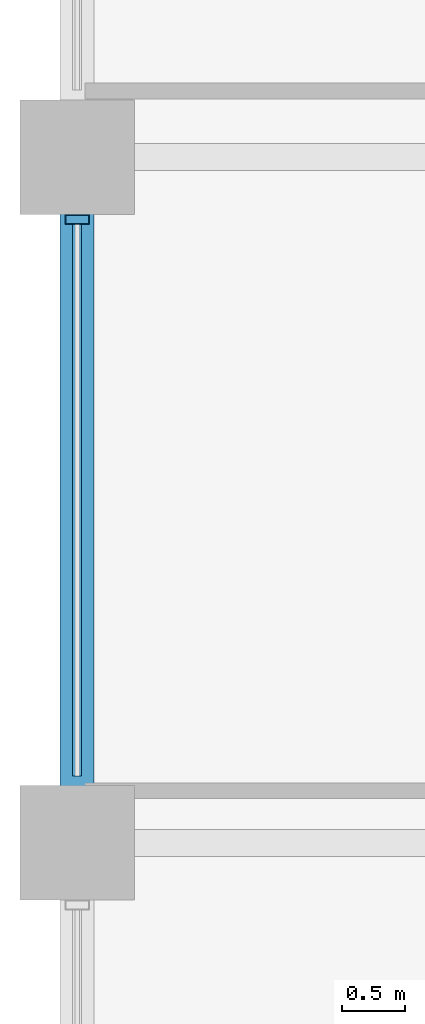
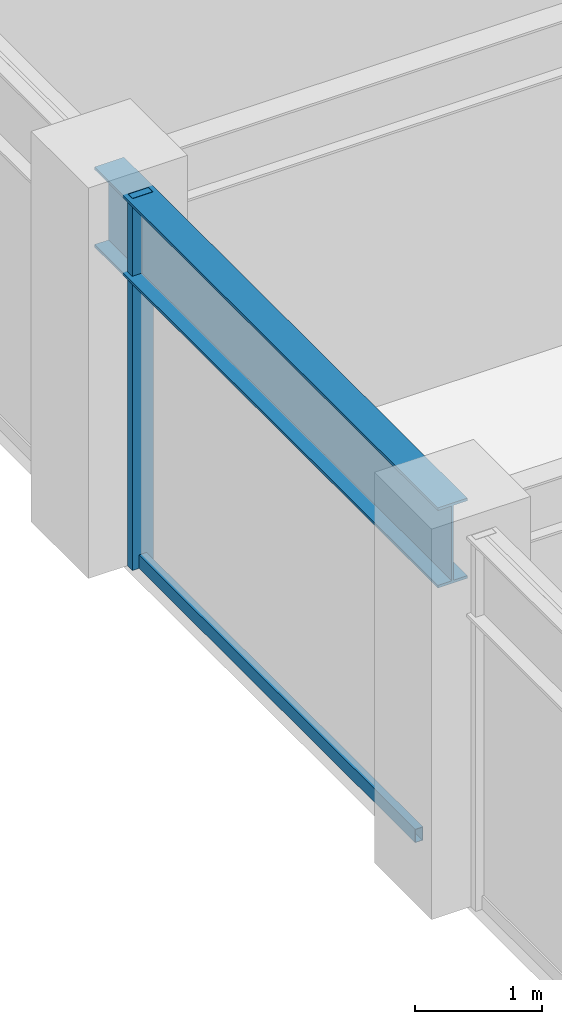
# One storey, part 8 of 32: 2 members, 1 beam, 1 element without a shape of its own.
"""IFC4 building model written with IfcOpenShell, lengths in metres."""

import ifcopenshell
import ifcopenshell.guid

model = None  # the IFC model being written
_history = None  # IfcOwnerHistory: only IFC2X3 demands one
_inside = {}  # id of a spatial element -> (the spatial element, [elements in it])
_under = {}  # id of a project, library or spatial element -> (it, [spatial elements below it])
_declared = {}  # id of a project -> (the project, [libraries it declares])
_typed = {}  # id of a type object -> (the type object, [elements of that type])
_made_of = {}  # id of a material, layer set ... -> (it, [elements and type objects made of it])


def new_model(schema):
    """Start an empty IFC model of exactly this schema.

    Asked for "IFC4X3", IfcOpenShell would pick the latest addendum, in which some entities
    have other attributes; the version numbers below select the first issue.
    IFC2X3 requires an IfcOwnerHistory on every rooted entity: one is made here for all.
    """
    global model, _history
    if schema == "IFC4X3":
        model = ifcopenshell.file(schema_version=(4, 3, 0, 0))
    else:
        model = ifcopenshell.file(schema=schema)
    _inside.clear()
    _under.clear()
    _declared.clear()
    _typed.clear()
    _made_of.clear()
    _history = None
    if model.schema == "IFC2X3":
        org = make("IfcOrganization", Name="unknown")
        user = make(
            "IfcPersonAndOrganization",
            ThePerson=make("IfcPerson", FamilyName="unknown"),
            TheOrganization=org,
        )
        app = make(
            "IfcApplication",
            ApplicationDeveloper=org,
            Version="unknown",
            ApplicationFullName="unknown",
            ApplicationIdentifier="unknown",
        )
        _history = make(
            "IfcOwnerHistory",
            OwningUser=user,
            OwningApplication=app,
            ChangeAction="ADDED",
            CreationDate=0,
        )
    return model


def make(cls, **values):
    """One entity of the class cls with the attributes given. An attribute that is None is left unset."""
    return model.create_entity(
        cls, **{name: value for name, value in values.items() if value is not None}
    )


def rooted(cls, **values):
    """An entity with a GlobalId (a new one), such as an element, a storey or a relation."""
    return make(cls, GlobalId=ifcopenshell.guid.new(), OwnerHistory=_history, **values)


def si_unit(unit_type, name, prefix=None):
    """IfcSIUnit, for example si_unit("LENGTHUNIT", "METRE", prefix="MILLI")."""
    return make("IfcSIUnit", UnitType=unit_type, Prefix=prefix, Name=name)


def assignment(units):
    """IfcUnitAssignment: the units of a project."""
    return None if units is None else make("IfcUnitAssignment", Units=units)


def point(xyz):
    """IfcCartesianPoint."""
    return None if xyz is None else make("IfcCartesianPoint", Coordinates=xyz)


def direction(xyz):
    """IfcDirection."""
    return None if xyz is None else make("IfcDirection", DirectionRatios=xyz)


def frame(location, z_axis=None, x_axis=None):
    """IfcAxis2Placement3D, a coordinate frame: its origin and axes. An axis left out is left unset."""
    return make(
        "IfcAxis2Placement3D",
        Location=point(location),
        Axis=direction(z_axis),
        RefDirection=direction(x_axis),
    )


def frame_2d(location, x_axis=None):
    """IfcAxis2Placement2D, a coordinate frame in the plane: its origin and x axis."""
    return make(
        "IfcAxis2Placement2D", Location=point(location), RefDirection=direction(x_axis)
    )


def origin():
    """The frame at (0, 0, 0) with its axes left unset."""
    return frame((0.0, 0.0, 0.0))


def origin_2d():
    """The frame at (0, 0) in the plane with its x axis left unset."""
    return frame_2d((0.0, 0.0))


def place(relative_to, where):
    """IfcLocalPlacement: puts the frame where relative to a parent placement (None: the world)."""
    return make(
        "IfcLocalPlacement", PlacementRelTo=relative_to, RelativePlacement=where
    )


def context(
    kind, dimensions, precision=None, world=None, true_north=None, identifier=None
):
    """IfcGeometricRepresentationContext, for example the 3D "Model" context."""
    return make(
        "IfcGeometricRepresentationContext",
        ContextIdentifier=identifier,
        ContextType=kind,
        CoordinateSpaceDimension=dimensions,
        Precision=precision,
        WorldCoordinateSystem=world,
        TrueNorth=true_north,
    )


def subcontext(parent, identifier, kind, view, scale=None):
    """IfcGeometricRepresentationSubContext, for example "Body" below "Model"."""
    return make(
        "IfcGeometricRepresentationSubContext",
        ContextIdentifier=identifier,
        ContextType=kind,
        ParentContext=parent,
        TargetScale=scale,
        TargetView=view,
    )


def project(units=None, contexts=None):
    """IfcProject with its units and contexts."""
    return rooted(
        "IfcProject",
        Name="project",
        RepresentationContexts=contexts,
        UnitsInContext=assignment(units),
    )


def spatial(cls, under=None, at=None, **own):
    """A site, building, storey or space (cls), placed at a placement, below another one or the project."""
    s = rooted(cls, ObjectPlacement=at, **own)
    if under is not None:
        _under.setdefault(under.id(), (under, []))[1].append(s)
    return s


def profile(cls, at=None, kind="AREA", **sizes):
    """A parametric profile (cls). Its sizes go by their IFC names, for example OverallWidth=200.0."""
    return make(cls, ProfileType=kind, Position=at, **sizes)


def hollow_rectangle(**sizes):
    """IfcRectangleHollowProfileDef."""
    return profile("IfcRectangleHollowProfileDef", **sizes)


def i_section(**sizes):
    """IfcIShapeProfileDef."""
    return profile("IfcIShapeProfileDef", **sizes)


def extrude(swept, where, along, depth):
    """IfcExtrudedAreaSolid: the profile swept, set in the frame where, extruded along a direction by depth."""
    return make(
        "IfcExtrudedAreaSolid",
        SweptArea=swept,
        Position=where,
        ExtrudedDirection=direction(along),
        Depth=depth,
    )


def shape(context_of_items, identifier, shape_type, items):
    """IfcShapeRepresentation: the items that make up one representation, for example the "Body"."""
    return make(
        "IfcShapeRepresentation",
        ContextOfItems=context_of_items,
        RepresentationIdentifier=identifier,
        RepresentationType=shape_type,
        Items=items,
    )


def material(Name=None, Category=None):
    """IfcMaterial."""
    return make("IfcMaterial", Name=Name, Category=Category)


def layer(
    of_material, thickness, ventilated=None, Name=None, Category=None, Priority=None
):
    """IfcMaterialLayer: one layer of a wall or slab, of a material (None: an air gap)."""
    return make(
        "IfcMaterialLayer",
        Material=of_material,
        LayerThickness=thickness,
        IsVentilated=ventilated,
        Name=Name,
        Category=Category,
        Priority=Priority,
    )


def layer_set(layers, Name=None):
    """IfcMaterialLayerSet."""
    return make("IfcMaterialLayerSet", MaterialLayers=layers, LayerSetName=Name)


def material_profile(
    of_material, cross_section, Name=None, Category=None, Priority=None
):
    """IfcMaterialProfile: a cross section and its material."""
    return make(
        "IfcMaterialProfile",
        Name=Name,
        Material=of_material,
        Profile=cross_section,
        Priority=Priority,
        Category=Category,
    )


def profile_set(profiles, Name=None, composite=None):
    """IfcMaterialProfileSet."""
    return make(
        "IfcMaterialProfileSet",
        Name=Name,
        MaterialProfiles=profiles,
        CompositeProfile=composite,
    )


def made_of(thing, what):
    """Note that an element or type object is made of a material, layer set ...; save() writes the relation."""
    if what is not None:
        _made_of.setdefault(what.id(), (what, []))[1].append(thing)
    return thing


def type_object(cls, material=None, **own):
    """A type object (cls), such as IfcWallType, which elements share."""
    return made_of(rooted(cls, **own), material)


def element(
    cls,
    number,
    at=None,
    inside=None,
    cuts=None,
    type_object=None,
    material=None,
    context=None,
    identifier="Body",
    shape_type=None,
    held_by="IfcProductDefinitionShape",
    body=None,
    shapes=None,
    **own,
):
    """One element of the class cls, such as IfcWall. Its Tag is "e" and its number.

    at: its placement. inside: the storey or other place that contains it. cuts: it is an
    opening in that element (IfcRelVoidsElement). A single representation is given by context,
    identifier, shape_type and body (its items); several are given by shapes. held_by: the class
    of the entity that holds the representations. save() writes the other relations.
    """
    e = rooted(cls, Tag="e%d" % number, ObjectPlacement=at, **own)
    if body is not None:
        shapes = [shape(context, identifier, shape_type, body)]
    if shapes is not None:
        e.Representation = make(held_by, Representations=shapes)
    if inside is not None:
        _inside.setdefault(inside.id(), (inside, []))[1].append(e)
    if cuts is not None:
        rooted(
            "IfcRelVoidsElement", RelatingBuildingElement=cuts, RelatedOpeningElement=e
        )
    if type_object is not None:
        _typed.setdefault(type_object.id(), (type_object, []))[1].append(e)
    return made_of(e, material)


def aggregate(whole, parts):
    """IfcRelAggregates: a whole, such as a stair, and the parts it consists of."""
    return rooted("IfcRelAggregates", RelatingObject=whole, RelatedObjects=parts)


def save(model, path):
    """Write the relations noted so far, then the file.

    IfcRelAggregates (storeys below a building ...), IfcRelContainedInSpatialStructure (elements
    in a storey), IfcRelDefinesByType, IfcRelAssociatesMaterial and IfcRelDeclares: one each for
    every whole, place, type object, material and project.
    """
    for whole, parts in _under.values():
        aggregate(whole, parts)
    for where, things in _inside.values():
        rooted(
            "IfcRelContainedInSpatialStructure",
            RelatedElements=things,
            RelatingStructure=where,
        )
    for kind, things in _typed.values():
        rooted("IfcRelDefinesByType", RelatedObjects=things, RelatingType=kind)
    for what, things in _made_of.values():
        rooted("IfcRelAssociatesMaterial", RelatedObjects=things, RelatingMaterial=what)
    for by, libraries in _declared.values():
        rooted("IfcRelDeclares", RelatingContext=by, RelatedDefinitions=libraries)
    model.write(path)


model = new_model("IFC4")

# Units and contexts
model_context = context("Model", 3, precision=1e-05, world=origin(), true_north=direction((0.0, 1.0)))
body_context = subcontext(model_context, "Body", "Model", "MODEL_VIEW")
ifc_project = project(units=[si_unit("LENGTHUNIT", "METRE"), si_unit("AREAUNIT", "SQUARE_METRE"), si_unit("VOLUMEUNIT", "CUBIC_METRE"), si_unit("PLANEANGLEUNIT", "RADIAN"), si_unit("MASSUNIT", "GRAM", prefix="KILO")], contexts=[model_context])

# Site, building, storey
site_placement = place(None, origin())
site = spatial("IfcSite", under=ifc_project, at=site_placement, CompositionType="ELEMENT")
building_placement = place(site_placement, origin())
building = spatial("IfcBuilding", under=site, at=building_placement, Name="Surkhivell Harbour Commons", CompositionType="ELEMENT")
storey_placement = place(building_placement, frame((0.0, 0.0, 197.25)))
storey = spatial("IfcBuildingStorey", under=building, at=storey_placement, Name="L51", CompositionType="ELEMENT", Elevation=197.25)

# Beam
ifc_material_1 = material(Name="Steel S355", Category="steel")
ifc_material_profile_1 = material_profile(ifc_material_1, i_section(OverallWidth=0.26806640625, OverallDepth=0.77001953125, WebThickness=0.015625, FlangeThickness=0.025390625, at=origin_2d()), Name="UB762x267x197")
ifc_profile_set_1 = profile_set([ifc_material_profile_1], Name="Steel S355")
beam_type = type_object("IfcBeamType", Name="BM-SPN-762", PredefinedType="SPANDREL", material=ifc_profile_set_1)
beam_placement = place(storey_placement, frame((-27.0, -5.39990234375, 3.18505859375), z_axis=(0.0, 1.0, 0.0), x_axis=(-1.0, 0.0, 0.0)))
element("IfcBeam", 1, at=beam_placement, inside=storey, type_object=beam_type, Name="L51 Tube Spandrel (-27.0,-5.4)", PredefinedType="SPANDREL", context=body_context, shape_type="SweptSolid", body=[
    extrude(i_section(OverallWidth=0.26806640625, OverallDepth=0.77001953125, WebThickness=0.015625, FlangeThickness=0.025390625, at=origin_2d()), origin(), (0.0, 0.0, 1.0), 5.39990234375),
])

# Curtain wall, members
ifc_material_2 = material(Name="Anodised pale-metal aluminium and insulated glazing", Category="aluminium")
ifc_layer = layer(ifc_material_2, 0.18994140625)
ifc_layer_set = layer_set([ifc_layer], Name="Anodised pale-metal aluminium and insulated glazing")
curtain_wall_type = type_object("IfcCurtainWallType", Name="CW-SYS-Z3", PredefinedType="NOTDEFINED", material=ifc_layer_set)
curtain_wall_placement = place(storey_placement, origin())
curtain_wall = element("IfcCurtainWall", 2, at=curtain_wall_placement, inside=storey, type_object=curtain_wall_type, Name="L51 Curtain Wall CW-L51-E12S1", PredefinedType="NOTDEFINED")
ifc_material_3 = material(Name="Anodised pale-metal aluminium alloy 6063-T6", Category="aluminium")
ifc_material_profile_2 = material_profile(ifc_material_3, hollow_rectangle(XDim=0.074951171875, YDim=0.18994140625, WallThickness=0.00390625, at=origin_2d()), Name="ALU-MULL-75x190")
ifc_profile_set_2 = profile_set([ifc_material_profile_2], Name="Anodised pale-metal aluminium alloy 6063-T6")
member_type_1 = type_object("IfcMemberType", Name="CWM-190", PredefinedType="MULLION", material=ifc_profile_set_2)
member_1_placement = place(storey_placement, frame((-27.0, -0.489501953125, 0.0), z_axis=(0.0, 0.0, 1.0), x_axis=(0.0, -1.0, 0.0)))
member_1 = element("IfcMember", 3, at=member_1_placement, type_object=member_type_1, Name="CW-Z3 mullion 5", PredefinedType="MULLION", context=body_context, shape_type="SweptSolid", body=[
    extrude(hollow_rectangle(XDim=0.074951171875, YDim=0.18994140625, WallThickness=0.00390625, at=origin_2d()), origin(), (0.0, 0.0, 1.0), 3.570068359375),
])
ifc_material_4 = material(Name="Champagne anodised aluminium alloy 6063-T6", Category="aluminium")
ifc_material_profile_3 = material_profile(ifc_material_4, hollow_rectangle(XDim=0.070068359375, YDim=0.1298828125, WallThickness=0.00341796875, at=origin_2d()), Name="ALU-TRAN-70x130")
ifc_profile_set_3 = profile_set([ifc_material_profile_3], Name="Champagne anodised aluminium alloy 6063-T6")
member_type_2 = type_object("IfcMemberType", Name="CWT-130", PredefinedType="USERDEFINED", material=ifc_profile_set_3)
member_2_placement = place(storey_placement, frame((-27.0, -0.527099609375, 0.06494140625), z_axis=(0.0, -1.0, 0.0), x_axis=(1.0, 0.0, 0.0)))
member_2 = element("IfcMember", 4, at=member_2_placement, type_object=member_type_2, Name="CW-Z3 transom 5.1", ObjectType="TRANSOM", PredefinedType="USERDEFINED", context=body_context, shape_type="SweptSolid", body=[
    extrude(hollow_rectangle(XDim=0.070068359375, YDim=0.1298828125, WallThickness=0.00341796875, at=origin_2d()), origin(), (0.0, 0.0, 1.0), 4.345947265625),
])
aggregate(curtain_wall, [member_1, member_2])

save(model, "model.ifc")
